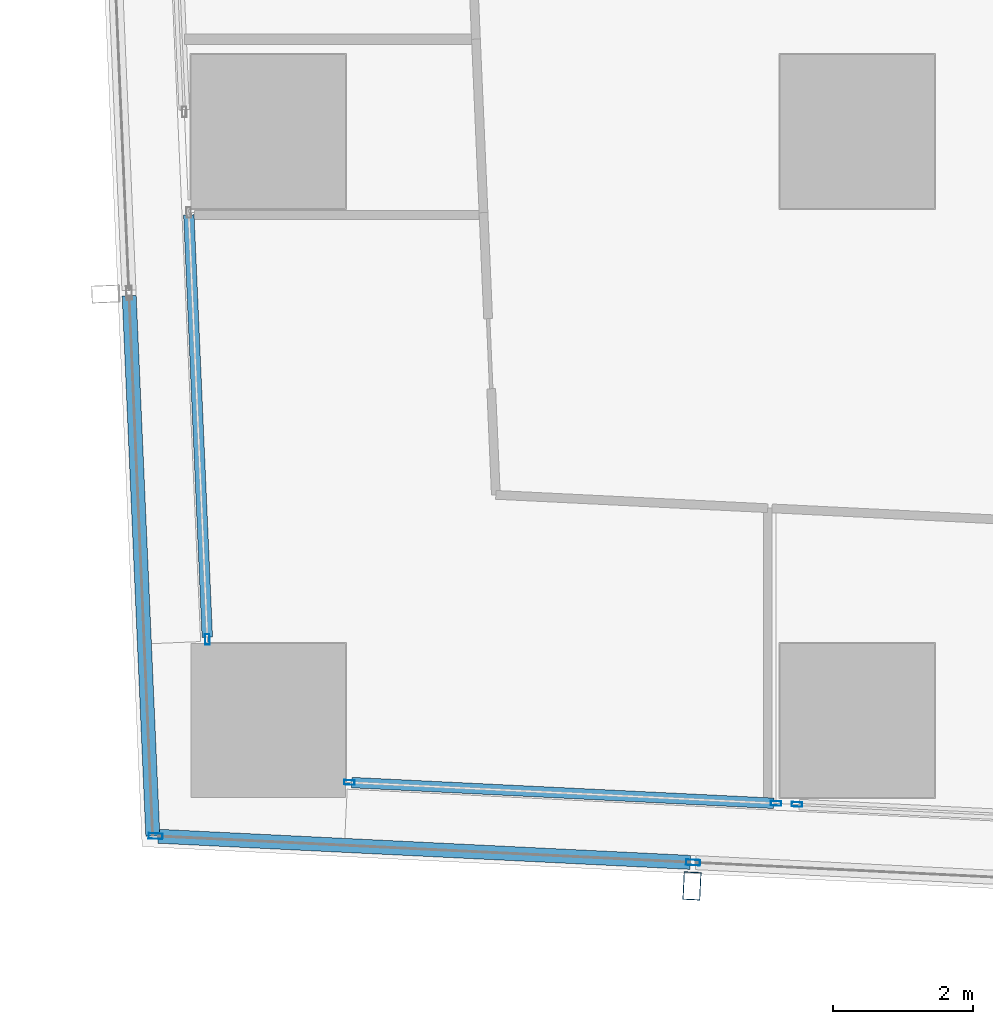
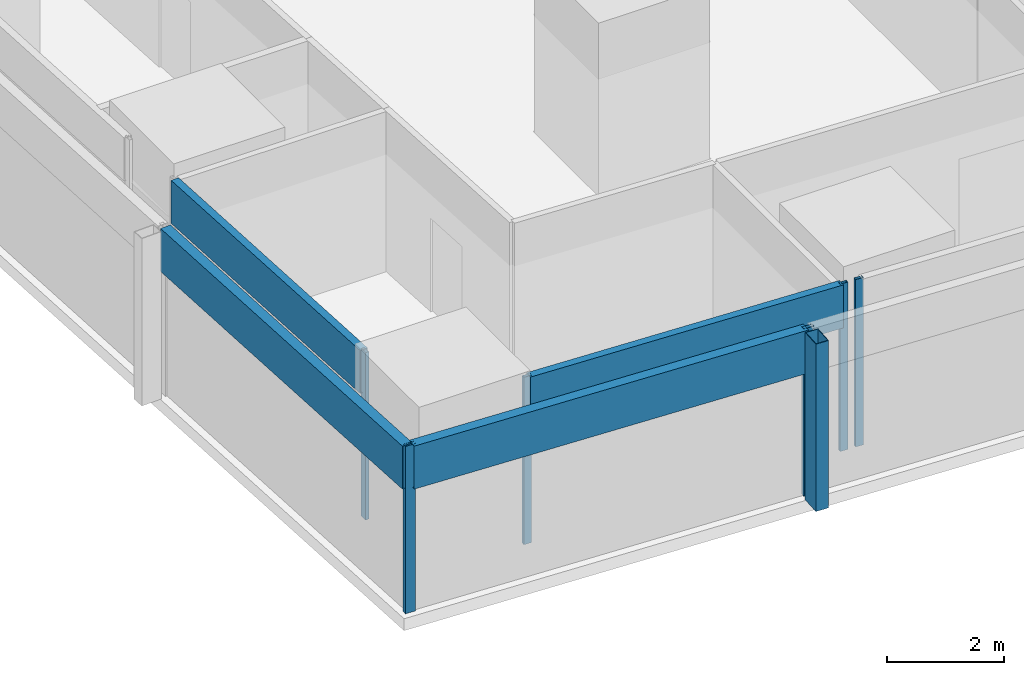
# One storey, part 2 of 45: 11 members, 5 elements without a shape of their own.
"""IFC4 building model written with IfcOpenShell, lengths in metres."""

from ifc_helpers import new_model, si_unit, direction, frame, origin, origin_2d, place, context, subcontext, project, spatial, hollow_rectangle, extrude, material, material_profile, profile_set, type_object, element, aggregate, save


model = new_model("IFC4")

# Units and contexts
model_context = context("Model", 3, precision=1e-05, world=origin(), true_north=direction((0.0, 1.0)))
body_context = subcontext(model_context, "Body", "Model", "MODEL_VIEW")
ifc_project = project(units=[si_unit("LENGTHUNIT", "METRE"), si_unit("AREAUNIT", "SQUARE_METRE"), si_unit("VOLUMEUNIT", "CUBIC_METRE"), si_unit("PLANEANGLEUNIT", "RADIAN"), si_unit("MASSUNIT", "GRAM", prefix="KILO")], contexts=[model_context])

# Site, building, storey
site_placement = place(None, origin())
site = spatial("IfcSite", under=ifc_project, at=site_placement, CompositionType="ELEMENT")
building_placement = place(site_placement, origin())
building = spatial("IfcBuilding", under=site, at=building_placement, Name="Rekha Terrace Tower", CompositionType="ELEMENT")
storey_placement = place(building_placement, frame((0.0, 0.0, 44.14990234375)))
storey = spatial("IfcBuildingStorey", under=building, at=storey_placement, Name="L10", CompositionType="ELEMENT", Elevation=44.14990234375)

# Curtain wall, member
ifc_material_1 = material(Name="Aluminium framing", Category="aluminium")
curtain_wall_type_1 = type_object("IfcCurtainWallType", Name="CW2 double skin outer glazing", PredefinedType="USERDEFINED", material=ifc_material_1)
curtain_wall_1_placement = place(storey_placement, origin())
curtain_wall_1 = element("IfcCurtainWall", 1, at=curtain_wall_1_placement, inside=storey, type_object=curtain_wall_type_1, Name="CW2 double skin outer glazing", ObjectType="DOUBLE SKIN OUTER GLAZING", PredefinedType="USERDEFINED")
ifc_material_2 = material(Name="Steel S355 with fluorocarbon finish", Category="steel")
ifc_material_profile_1 = material_profile(ifc_material_2, hollow_rectangle(XDim=0.25, YDim=0.39990234375, WallThickness=0.012451171875, at=origin_2d()), Name="RHS400x250x12.5")
ifc_profile_set_1 = profile_set([ifc_material_profile_1], Name="Steel S355 with fluorocarbon finish")
member_type_1 = type_object("IfcMemberType", Name="BL1 facade blade RHS 400 x 250", PredefinedType="USERDEFINED", material=ifc_profile_set_1)
member_1_placement = place(storey_placement, frame((14.443603515625, 6.03955078125, 0.0), z_axis=(0.0, 0.0, 1.0), x_axis=(0.998796226835, -0.049051985279, 0.0)))
member_1 = element("IfcMember", 2, at=member_1_placement, type_object=member_type_1, Name="Facade blade", ObjectType="FACADE BLADE", PredefinedType="USERDEFINED", context=body_context, shape_type="SweptSolid", body=[
    extrude(hollow_rectangle(XDim=0.25, YDim=0.39990234375, WallThickness=0.012451171875, at=origin_2d()), origin(), (0.0, 0.0, 1.0), 3.5),
])

# Curtain wall, members
curtain_wall_type_2 = type_object("IfcCurtainWallType", Name="CW1 double skin inner glazing", PredefinedType="USERDEFINED", material=ifc_material_1)
curtain_wall_2_placement = place(storey_placement, origin())
curtain_wall_2 = element("IfcCurtainWall", 3, at=curtain_wall_2_placement, inside=storey, type_object=curtain_wall_type_2, Name="CW1 double skin inner glazing", ObjectType="DOUBLE SKIN INNER GLAZING", PredefinedType="USERDEFINED")
ifc_material_3 = material(Name="Aluminium mullion section", Category="aluminium")
ifc_material_profile_2 = material_profile(ifc_material_3, hollow_rectangle(XDim=0.06494140625, YDim=0.14990234375, WallThickness=0.00390625, at=origin_2d()), Name="AL RHS 65x150")
ifc_profile_set_2 = profile_set([ifc_material_profile_2], Name="Aluminium mullion section")
member_type_2 = type_object("IfcMemberType", Name="CW1 mullion RHS 65 x 150", PredefinedType="MULLION", material=ifc_profile_set_2)
member_2_placement = place(storey_placement, frame((9.55712890625, 7.51611328125, 0.0), z_axis=(0.0, 0.0, 1.0), x_axis=(0.049051717693, 0.998796239977, 0.0)))
member_2 = element("IfcMember", 4, at=member_2_placement, type_object=member_type_2, Name="CW1 mullion 1", PredefinedType="MULLION", context=body_context, shape_type="SweptSolid", body=[
    extrude(hollow_rectangle(XDim=0.06494140625, YDim=0.14990234375, WallThickness=0.00390625, at=origin_2d()), origin(), (0.0, 0.0, 1.0), 3.5),
])
member_3_placement = place(storey_placement, frame((15.642822265625, 7.21728515625, 0.0), z_axis=(0.0, 0.0, 1.0), x_axis=(0.049051717693, 0.998796239977, 0.0)))
member_3 = element("IfcMember", 5, at=member_3_placement, type_object=member_type_2, Name="CW1 mullion 2", PredefinedType="MULLION", context=body_context, shape_type="SweptSolid", body=[
    extrude(hollow_rectangle(XDim=0.06494140625, YDim=0.14990234375, WallThickness=0.00390625, at=origin_2d()), origin(), (0.0, 0.0, 1.0), 3.5),
])

# Curtain wall, member
curtain_wall_3_placement = place(storey_placement, origin())
curtain_wall_3 = element("IfcCurtainWall", 6, at=curtain_wall_3_placement, inside=storey, type_object=curtain_wall_type_2, Name="CW1 double skin inner glazing", ObjectType="DOUBLE SKIN INNER GLAZING", PredefinedType="USERDEFINED")
member_4_placement = place(storey_placement, frame((15.94091796875, 7.20263671875, 0.0), z_axis=(0.0, 0.0, 1.0), x_axis=(0.049051717746, 0.998796239974, 0.0)))
member_4 = element("IfcMember", 7, at=member_4_placement, type_object=member_type_2, Name="CW1 mullion 1", PredefinedType="MULLION", context=body_context, shape_type="SweptSolid", body=[
    extrude(hollow_rectangle(XDim=0.06494140625, YDim=0.14990234375, WallThickness=0.00390625, at=origin_2d()), origin(), (0.0, 0.0, 1.0), 3.5),
])
aggregate(curtain_wall_3, [member_4])

curtain_wall_4_placement = place(storey_placement, origin())
curtain_wall_4 = element("IfcCurtainWall", 8, at=curtain_wall_4_placement, inside=storey, type_object=curtain_wall_type_2, Name="CW1 double skin inner glazing", ObjectType="DOUBLE SKIN INNER GLAZING", PredefinedType="USERDEFINED")
member_5_placement = place(storey_placement, frame((7.53173828125, 9.556640625, 0.0), z_axis=(0.0, 0.0, 1.0), x_axis=(0.999045462129, 0.043682543424, 0.0)))
member_5 = element("IfcMember", 9, at=member_5_placement, type_object=member_type_2, Name="CW1 mullion 2", PredefinedType="MULLION", context=body_context, shape_type="SweptSolid", body=[
    extrude(hollow_rectangle(XDim=0.06494140625, YDim=0.14990234375, WallThickness=0.00390625, at=origin_2d()), origin(), (0.0, 0.0, 1.0), 3.5),
])

# Member
ifc_material_4 = material(Name="Insulated aluminium spandrel box", Category="aluminium")
ifc_material_profile_3 = material_profile(ifc_material_4, hollow_rectangle(XDim=0.14990234375, YDim=0.89990234375, WallThickness=0.0029296875, at=origin_2d()), Name="AL SPANDREL BOX 150x900")
ifc_profile_set_3 = profile_set([ifc_material_profile_3], Name="Insulated aluminium spandrel box")
member_type_3 = type_object("IfcMemberType", Name="CW1 spandrel transom 150 x 900", PredefinedType="USERDEFINED", material=ifc_profile_set_3)
member_6_placement = place(storey_placement, frame((9.589599609375, 7.514404296875, 3.050048828125), z_axis=(0.99879648266, -0.049046775901, 0.0), x_axis=(0.049046775901, 0.99879648266, 0.0)))
member_6 = element("IfcMember", 10, at=member_6_placement, type_object=member_type_3, Name="CW1 spandrel transom 1", ObjectType="TRANSOM", PredefinedType="USERDEFINED", context=body_context, shape_type="SweptSolid", body=[
    extrude(hollow_rectangle(XDim=0.14990234375, YDim=0.89990234375, WallThickness=0.0029296875, at=origin_2d()), origin(), (0.0, 0.0, 1.0), 6.028076171875),
])

aggregate(curtain_wall_2, [member_2, member_3, member_6])

member_7_placement = place(storey_placement, frame((7.26708984375, 15.61083984375, 3.050048828125), z_axis=(0.043663972565, -0.999046273953, 0.0), x_axis=(0.999046273953, 0.043663972565, 0.0)))
member_7 = element("IfcMember", 11, at=member_7_placement, type_object=member_type_3, Name="CW1 spandrel transom 1", ObjectType="TRANSOM", PredefinedType="USERDEFINED", context=body_context, shape_type="SweptSolid", body=[
    extrude(hollow_rectangle(XDim=0.14990234375, YDim=0.89990234375, WallThickness=0.0029296875, at=origin_2d()), origin(), (0.0, 0.0, 1.0), 6.027587890625),
])

aggregate(curtain_wall_4, [member_5, member_7])

ifc_material_profile_4 = material_profile(ifc_material_3, hollow_rectangle(XDim=0.080078125, YDim=0.199951171875, WallThickness=0.00390625, at=origin_2d()), Name="AL RHS 80x200")
ifc_profile_set_4 = profile_set([ifc_material_profile_4], Name="Aluminium mullion section")
member_type_4 = type_object("IfcMemberType", Name="CW2 mullion RHS 80 x 200", PredefinedType="MULLION", material=ifc_profile_set_4)
member_8_placement = place(storey_placement, frame((6.79345703125, 6.750732421875, 0.0), z_axis=(0.0, 0.0, 1.0), x_axis=(0.049051717746, 0.998796239974, 0.0)))
member_8 = element("IfcMember", 12, at=member_8_placement, type_object=member_type_4, Name="CW2 mullion 1", PredefinedType="MULLION", context=body_context, shape_type="SweptSolid", body=[
    extrude(hollow_rectangle(XDim=0.080078125, YDim=0.199951171875, WallThickness=0.00390625, at=origin_2d()), origin(), (0.0, 0.0, 1.0), 3.5),
])

member_9_placement = place(storey_placement, frame((14.4599609375, 6.374267578125, 0.0), z_axis=(0.0, 0.0, 1.0), x_axis=(0.049051717746, 0.998796239974, 0.0)))
member_9 = element("IfcMember", 13, at=member_9_placement, type_object=member_type_4, Name="CW2 mullion 2", PredefinedType="MULLION", context=body_context, shape_type="SweptSolid", body=[
    extrude(hollow_rectangle(XDim=0.080078125, YDim=0.199951171875, WallThickness=0.00390625, at=origin_2d()), origin(), (0.0, 0.0, 1.0), 3.5),
])

ifc_material_profile_5 = material_profile(ifc_material_4, hollow_rectangle(XDim=0.199951171875, YDim=0.89990234375, WallThickness=0.0029296875, at=origin_2d()), Name="AL SPANDREL BOX 200x900")
ifc_profile_set_5 = profile_set([ifc_material_profile_5], Name="Insulated aluminium spandrel box")
member_type_5 = type_object("IfcMemberType", Name="CW2 spandrel transom 200 x 900", PredefinedType="USERDEFINED", material=ifc_profile_set_5)
member_10_placement = place(storey_placement, frame((6.83349609375, 6.748779296875, 3.050048828125), z_axis=(0.99879635036, -0.049049469996, 0.0), x_axis=(0.049049469996, 0.99879635036, 0.0)))
member_10 = element("IfcMember", 14, at=member_10_placement, type_object=member_type_5, Name="CW2 spandrel transom 1", ObjectType="TRANSOM", PredefinedType="USERDEFINED", context=body_context, shape_type="SweptSolid", body=[
    extrude(hollow_rectangle(XDim=0.199951171875, YDim=0.89990234375, WallThickness=0.0029296875, at=origin_2d()), origin(), (0.0, 0.0, 1.0), 7.595458984375),
])

aggregate(curtain_wall_1, [member_8, member_9, member_10, member_1])

# Curtain wall, member
curtain_wall_5_placement = place(storey_placement, origin())
curtain_wall_5 = element("IfcCurtainWall", 15, at=curtain_wall_5_placement, inside=storey, type_object=curtain_wall_type_1, Name="CW2 double skin outer glazing", ObjectType="DOUBLE SKIN OUTER GLAZING", PredefinedType="USERDEFINED")
member_11_placement = place(storey_placement, frame((6.41650390625, 14.45703125, 3.050048828125), z_axis=(0.043688638652, -0.999045195601, 0.0), x_axis=(0.999045195601, 0.043688638652, 0.0)))
member_11 = element("IfcMember", 16, at=member_11_placement, type_object=member_type_5, Name="CW2 spandrel transom 5", ObjectType="TRANSOM", PredefinedType="USERDEFINED", context=body_context, shape_type="SweptSolid", body=[
    extrude(hollow_rectangle(XDim=0.199951171875, YDim=0.89990234375, WallThickness=0.0029296875, at=origin_2d()), origin(), (0.0, 0.0, 1.0), 7.711669921875),
])
aggregate(curtain_wall_5, [member_11])

save(model, "model.ifc")
